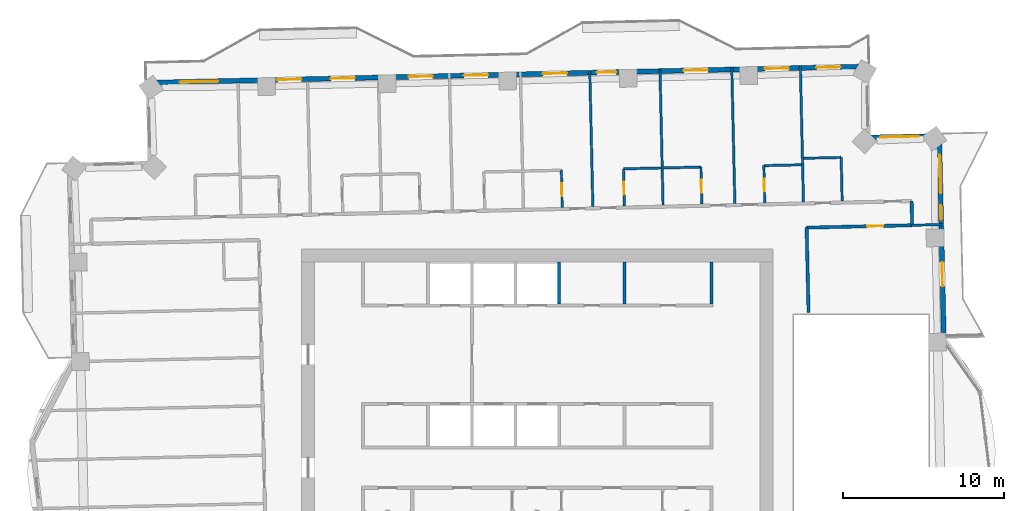
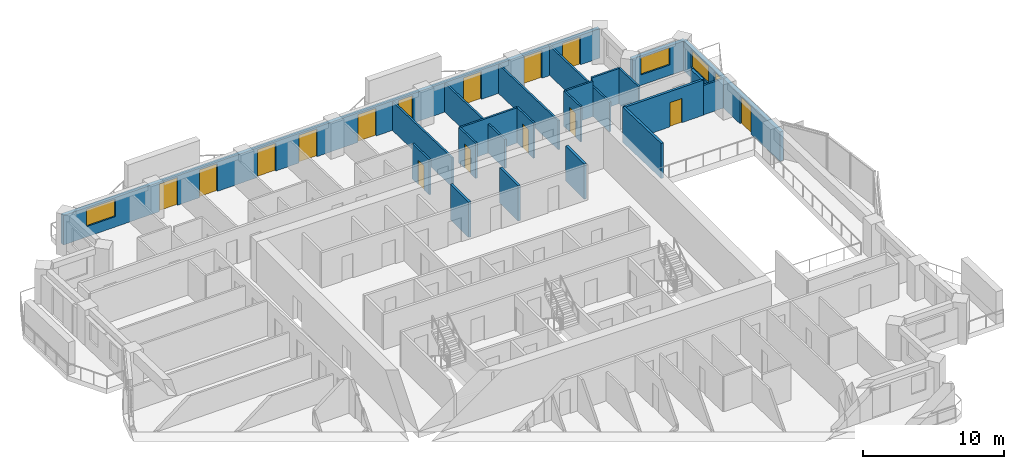
# One storey, part 12 of 17: 22 walls, 15 doors, 4 windows, 19 openings.
"""IFC4 building model written with IfcOpenShell, lengths in metres."""

from ifc_helpers import new_model, si_unit, direction, frame, frame_2d, origin, place, context, subcontext, project, spatial, rectangle, extrude, material, layer, layer_set, type_object, element, fill, save


model = new_model("IFC4")

# Units and contexts
model_context = context("Model", 3, precision=1e-05, world=origin(), true_north=direction((0.0, 1.0)))
body_context = subcontext(model_context, "Body", "Model", "MODEL_VIEW")
ifc_project = project(units=[si_unit("LENGTHUNIT", "METRE"), si_unit("AREAUNIT", "SQUARE_METRE"), si_unit("VOLUMEUNIT", "CUBIC_METRE"), si_unit("PLANEANGLEUNIT", "RADIAN"), si_unit("MASSUNIT", "GRAM", prefix="KILO")], contexts=[model_context])

# Site, building, storey
site_placement = place(None, origin())
site = spatial("IfcSite", under=ifc_project, at=site_placement, CompositionType="ELEMENT")
building_placement = place(site_placement, origin())
building = spatial("IfcBuilding", under=site, at=building_placement, Name="Mangrove Gate Tower", CompositionType="ELEMENT")
storey_placement = place(building_placement, frame((0.0, 0.0, 238.300048828125)))
storey = spatial("IfcBuildingStorey", under=building, at=storey_placement, Name="L60", CompositionType="ELEMENT", Elevation=238.300048828125)

# Walls
ifc_material_1 = material(Name="Concrete C32/40", Category="concrete")
ifc_layer_1 = layer(ifc_material_1, 0.199951171875)
ifc_layer_set_1 = layer_set([ifc_layer_1], Name="Core room wall 200 C32/40")
wall_type_1 = type_object("IfcWallType", Name="Core room wall 200 C32/40", PredefinedType="STANDARD", material=ifc_layer_set_1)
for number, where, z_axis, x_axis, name in (
    (1, (5.39990234375, 8.199951171875, 0.0), (0.0, 0.0, 1.0), (0.0, 1.0, 0.0), "WALL-L60-CORE-31"),
    (2, (10.800048828125, 8.199951171875, 0.0), (0.0, 0.0, 1.0), (0.0, 1.0, 0.0), "WALL-L60-CORE-32"),
):
    element("IfcWall", number, at=place(storey_placement, frame(where, z_axis=z_axis, x_axis=x_axis)), inside=storey, type_object=wall_type_1, Name=name, PredefinedType="STANDARD", context=body_context, shape_type="SweptSolid", body=[
        extrude(rectangle(XDim=2.60009765625, YDim=0.199951171875, at=frame_2d((1.300048828125, 0.0))), origin(), (0.0, 0.0, 1.0), 3.050048828125),
    ])
ifc_material_2 = material(Name="Concrete C60/75", Category="concrete")
ifc_layer_2 = layer(ifc_material_2, 0.199951171875)
ifc_layer_set_2 = layer_set([ifc_layer_2], Name="Core shaft wall 200 C60/75")
wall_type_2 = type_object("IfcWallType", Name="Core shaft wall 200 C60/75", PredefinedType="SHEAR", material=ifc_layer_set_2)
wall_1_placement = place(storey_placement, frame((1.35009765625, 8.199951171875, 0.0), z_axis=(0.0, 0.0, 1.0), x_axis=(0.0, 1.0, 0.0)))
element("IfcWall", 3, at=wall_1_placement, inside=storey, type_object=wall_type_2, Name="WALL-L60-CORE-30", PredefinedType="SHEAR", context=body_context, shape_type="SweptSolid", body=[
    extrude(rectangle(XDim=2.60009765625, YDim=0.199951171875, at=frame_2d((1.300048828125, 0.0))), origin(), (0.0, 0.0, 1.0), 3.050048828125),
])
ifc_material_3 = material(Name="Gypsum board on steel stud, EI 60", Category="steel")
ifc_layer_3 = layer(ifc_material_3, 0.199951171875)
ifc_layer_set_3 = layer_set([ifc_layer_3], Name="Corridor wall EI 60")
wall_type_3 = type_object("IfcWallType", Name="Corridor wall EI 60", PredefinedType="PARTITIONING", material=ifc_layer_set_3)
wall_2_placement = place(storey_placement, frame((16.802978515625, 7.675048828125, 0.0), z_axis=(0.0, 0.0, 1.0), x_axis=(-0.022667483124, 0.999743059595, 0.0)))
element("IfcWall", 4, at=wall_2_placement, inside=storey, type_object=wall_type_3, Name="WALL-L60-043", PredefinedType="PARTITIONING", context=body_context, shape_type="SweptSolid", body=[
    extrude(rectangle(XDim=5.245361328125, YDim=0.199951171875, at=frame_2d((2.62255859375, 0.0))), origin(), (0.0, 0.0, 1.0), 3.050048828125),
])

# Wall, opening, door
wall_3_placement = place(storey_placement, frame((16.678955078125, 12.91796875, 0.0), z_axis=(0.0, 0.0, 1.0), x_axis=(0.99974139269, 0.022740882632, 0.0)))
wall_3 = element("IfcWall", 5, at=wall_3_placement, inside=storey, type_object=wall_type_3, Name="WALL-L60-050", PredefinedType="PARTITIONING", context=body_context, shape_type="SweptSolid", body=[
    extrude(rectangle(XDim=6.548828125, YDim=0.199951171875, at=frame_2d((3.2744140625, 0.0))), origin(), (0.0, 0.0, 1.0), 3.050048828125),
])
opening_1_placement = place(wall_3_placement, frame((3.75, 0.0, 0.0)))
opening_1 = element("IfcOpeningElement", 6, at=opening_1_placement, cuts=wall_3, Name="Opening AD", PredefinedType="OPENING", context=body_context, shape_type="SweptSolid", body=[
    extrude(rectangle(XDim=1.0, YDim=2.10009765625, at=frame_2d((0.5, 1.050048828125))), frame((0.0, 0.10986328125, 0.0), z_axis=(0.0, -1.0, 0.0), x_axis=(1.0, 0.0, 0.0)), (0.0, 0.0, 1.0), 0.219970703125),
])
ifc_material_4 = material(Name="Timber door leaf", Category="wood")
door_type_1 = type_object("IfcDoorType", Name="Amenity door 1000", OperationType="SINGLE_SWING_LEFT", PredefinedType="DOOR", material=ifc_material_4)
door_1_placement = place(opening_1_placement, origin())
door_1 = element("IfcDoor", 7, at=door_1_placement, inside=storey, type_object=door_type_1, Name="DOOR-L60-LNG-c3a", OperationType="SINGLE_SWING_RIGHT", OverallHeight=2.10009765625, OverallWidth=1.0, PredefinedType="DOOR", context=body_context, shape_type="SweptSolid", body=[
    extrude(rectangle(XDim=1.0, YDim=2.10009765625, at=frame_2d((0.5, 1.050048828125))), frame((0.0, 0.02490234375, 0.0), z_axis=(0.0, -1.0, 0.0), x_axis=(1.0, 0.0, 0.0)), (0.0, 0.0, 1.0), 0.050048828125),
])
fill(opening_1, door_1)

# Wall
wall_4_placement = place(storey_placement, frame((23.222900390625, 13.06689453125, 0.0), z_axis=(0.0, 0.0, 1.0), x_axis=(-0.023268438023, 0.999729253244, 0.0)))
element("IfcWall", 8, at=wall_4_placement, inside=storey, type_object=wall_type_3, Name="WALL-L60-051", PredefinedType="PARTITIONING", context=body_context, shape_type="SweptSolid", body=[
    extrude(rectangle(XDim=1.50048828125, YDim=0.199951171875, at=frame_2d((0.750244140625, 0.0))), origin(), (0.0, 0.0, 1.0), 3.050048828125),
])

# Wall, openings, door, windows
ifc_material_5 = material(Name="Limestone", Category="masonry")
ifc_layer_4 = layer(ifc_material_5, 0.0400390625, Name="Limestone cladding")
ifc_material_6 = material(Name="Ventilated air gap")
ifc_layer_5 = layer(ifc_material_6, 0.0400390625, Name="Ventilated cavity")
ifc_material_7 = material(Name="Mineral wool insulation")
ifc_layer_6 = layer(ifc_material_7, 0.06005859375, Name="Insulation")
ifc_material_8 = material(Name="Breather membrane")
ifc_layer_7 = layer(ifc_material_8, 0.001953125, Name="Breather membrane")
ifc_material_9 = material(Name="Concrete C20/25 blockwork", Category="masonry")
ifc_layer_8 = layer(ifc_material_9, 0.14990234375, Name="Blockwork backing wall")
ifc_material_10 = material(Name="Gypsum plaster")
ifc_layer_9 = layer(ifc_material_10, 0.008056640625, Name="Internal plaster")
ifc_layer_set_4 = layer_set([ifc_layer_4, ifc_layer_5, ifc_layer_6, ifc_layer_7, ifc_layer_8, ifc_layer_9], Name="External wall 300 limestone cladding")
wall_type_4 = type_object("IfcWallType", Name="External wall 300 limestone cladding", PredefinedType="SOLIDWALL", material=ifc_layer_set_4)
wall_5_placement = place(storey_placement, frame((25.202880859375, 5.31005859375, 0.0), z_axis=(0.0, 0.0, 1.0), x_axis=(-0.022708061432, 0.999742138727, 0.0)))
wall_5 = element("IfcWall", 9, at=wall_5_placement, inside=storey, type_object=wall_type_4, Name="WALL-L60-E2s1", PredefinedType="SOLIDWALL", context=body_context, shape_type="SweptSolid", body=[
    extrude(rectangle(XDim=13.29931640625, YDim=0.300048828125, at=frame_2d((6.649658203125, 0.0))), origin(), (0.0, 0.0, 1.0), 2.550048828125),
])
opening_2_placement = place(wall_5_placement, frame((3.97412109375, 0.0, 0.0)))
opening_2 = element("IfcOpeningElement", 10, at=opening_2_placement, cuts=wall_5, Name="Opening BD1", PredefinedType="OPENING", context=body_context, shape_type="SweptSolid", body=[
    extrude(rectangle(XDim=1.5, YDim=2.39990234375, at=frame_2d((0.75, 1.199951171875))), frame((0.0, 0.159912109375, 0.0), z_axis=(0.0, -1.0, 0.0), x_axis=(1.0, 0.0, 0.0)), (0.0, 0.0, 1.0), 0.320068359375),
])
opening_3_placement = place(wall_5_placement, frame((8.10009765625, 0.0, 0.89990234375)))
opening_3 = element("IfcOpeningElement", 11, at=opening_3_placement, cuts=wall_5, Name="Opening W5", PredefinedType="OPENING", context=body_context, shape_type="SweptSolid", body=[
    extrude(rectangle(XDim=0.89990234375, YDim=1.5, at=frame_2d((0.449951171875, 0.75))), frame((0.0, 0.159912109375, 0.0), z_axis=(0.0, -1.0, 0.0), x_axis=(1.0, 0.0, 0.0)), (0.0, 0.0, 1.0), 0.320068359375),
])
opening_4_placement = place(wall_5_placement, frame((9.738037109375, 0.0, 0.89990234375)))
opening_4 = element("IfcOpeningElement", 12, at=opening_4_placement, cuts=wall_5, Name="Opening W2", PredefinedType="OPENING", context=body_context, shape_type="SweptSolid", body=[
    extrude(rectangle(XDim=2.39990234375, YDim=1.5, at=frame_2d((1.199951171875, 0.75))), frame((0.0, 0.159912109375, 0.0), z_axis=(0.0, -1.0, 0.0), x_axis=(1.0, 0.0, 0.0)), (0.0, 0.0, 1.0), 0.320068359375),
])
ifc_material_11 = material(Name="Aluminium frame with laminated clear glass", Category="aluminium")
door_type_2 = type_object("IfcDoorType", Name="Balcony sliding door 1500x2400", OperationType="SLIDING_TO_LEFT", PredefinedType="DOOR", material=ifc_material_11)
door_2_placement = place(opening_2_placement, origin())
door_2 = element("IfcDoor", 13, at=door_2_placement, inside=storey, type_object=door_type_2, Name="DOOR-L60-E2-1", OperationType="SLIDING_TO_LEFT", OverallHeight=2.39990234375, OverallWidth=1.5, PredefinedType="DOOR", context=body_context, shape_type="SweptSolid", body=[
    extrude(rectangle(XDim=1.5, YDim=2.39990234375, at=frame_2d((0.75, 1.199951171875))), frame((0.0, 0.02490234375, 0.0), z_axis=(0.0, -1.0, 0.0), x_axis=(1.0, 0.0, 0.0)), (0.0, 0.0, 1.0), 0.050048828125),
])
fill(opening_2, door_2)
ifc_material_12 = material(Name="Aluminium frame with double-glazed low-e glass", Category="aluminium")
window_type_1 = type_object("IfcWindowType", Name="Corner room window 2400x1500", PartitioningType="DOUBLE_PANEL_VERTICAL", PredefinedType="WINDOW", material=ifc_material_12)
window_1_placement = place(opening_4_placement, origin())
window_1 = element("IfcWindow", 14, at=window_1_placement, inside=storey, type_object=window_type_1, Name="WIN-L60-E2-3", OverallHeight=1.5, OverallWidth=2.39990234375, PartitioningType="DOUBLE_PANEL_VERTICAL", PredefinedType="WINDOW", context=body_context, shape_type="SweptSolid", body=[
    extrude(rectangle(XDim=2.39990234375, YDim=1.5, at=frame_2d((1.199951171875, 0.75))), frame((0.0, 0.030029296875, 0.0), z_axis=(0.0, -1.0, 0.0), x_axis=(1.0, 0.0, 0.0)), (0.0, 0.0, 1.0), 0.06005859375),
])
fill(opening_4, window_1)
ifc_material_13 = material(Name="Aluminium frame with double-glazed low-e glass", Category="aluminium")
window_type_2 = type_object("IfcWindowType", Name="Narrow window 900x1500", PartitioningType="SINGLE_PANEL", PredefinedType="WINDOW", material=ifc_material_13)
window_2_placement = place(opening_3_placement, origin())
window_2 = element("IfcWindow", 15, at=window_2_placement, inside=storey, type_object=window_type_2, Name="WIN-L60-E2-2", OverallHeight=1.5, OverallWidth=0.89990234375, PartitioningType="SINGLE_PANEL", PredefinedType="WINDOW", context=body_context, shape_type="SweptSolid", body=[
    extrude(rectangle(XDim=0.89990234375, YDim=1.5, at=frame_2d((0.449951171875, 0.75))), frame((0.0, 0.030029296875, 0.0), z_axis=(0.0, -1.0, 0.0), x_axis=(1.0, 0.0, 0.0)), (0.0, 0.0, 1.0), 0.06005859375),
])
fill(opening_3, window_2)

# Wall, opening, window
wall_6_placement = place(storey_placement, frame((24.90087890625, 18.60595703125, 0.0), z_axis=(0.0, 0.0, 1.0), x_axis=(-0.999747476176, -0.022471846368, 0.0)))
wall_6 = element("IfcWall", 16, at=wall_6_placement, inside=storey, type_object=wall_type_4, Name="WALL-L60-N3", PredefinedType="SOLIDWALL", context=body_context, shape_type="SweptSolid", body=[
    extrude(rectangle(XDim=4.400146484375, YDim=0.300048828125, at=frame_2d((2.2001953125, 0.0))), origin(), (0.0, 0.0, 1.0), 2.550048828125),
])
opening_5_placement = place(wall_6_placement, frame((1.264892578125, 0.0, 0.89990234375)))
opening_5 = element("IfcOpeningElement", 17, at=opening_5_placement, cuts=wall_6, Name="Opening W2", PredefinedType="OPENING", context=body_context, shape_type="SweptSolid", body=[
    extrude(rectangle(XDim=2.39990234375, YDim=1.5, at=frame_2d((1.199951171875, 0.75))), frame((0.0, 0.159912109375, 0.0), z_axis=(0.0, -1.0, 0.0), x_axis=(1.0, 0.0, 0.0)), (0.0, 0.0, 1.0), 0.320068359375),
])
window_3_placement = place(opening_5_placement, origin())
window_3 = element("IfcWindow", 18, at=window_3_placement, inside=storey, type_object=window_type_1, Name="WIN-L60-N3-1", OverallHeight=1.5, OverallWidth=2.39990234375, PartitioningType="DOUBLE_PANEL_VERTICAL", PredefinedType="WINDOW", context=body_context, shape_type="SweptSolid", body=[
    extrude(rectangle(XDim=2.39990234375, YDim=1.5, at=frame_2d((1.199951171875, 0.75))), frame((0.0, 0.030029296875, 0.0), z_axis=(0.0, -1.0, 0.0), x_axis=(1.0, 0.0, 0.0)), (0.0, 0.0, 1.0), 0.06005859375),
])
fill(opening_5, window_3)

# Wall, openings, doors, window
wall_7_placement = place(storey_placement, frame((20.403076171875, 22.905029296875, 0.0), z_axis=(0.0, 0.0, 1.0), x_axis=(-0.99974298964, -0.022670568288, 0.0)))
wall_7 = element("IfcWall", 19, at=wall_7_placement, inside=storey, type_object=wall_type_4, Name="WALL-L60-N5", PredefinedType="SOLIDWALL", context=body_context, shape_type="SweptSolid", body=[
    extrude(rectangle(XDim=44.508544921875, YDim=0.300048828125, at=frame_2d((22.25439453125, 0.0))), origin(), (0.0, 0.0, 1.0), 2.550048828125),
])
opening_6_placement = place(wall_7_placement, frame((1.6201171875, 0.0, 0.0)))
opening_6 = element("IfcOpeningElement", 20, at=opening_6_placement, cuts=wall_7, Name="Opening BD1", PredefinedType="OPENING", context=body_context, shape_type="SweptSolid", body=[
    extrude(rectangle(XDim=1.5, YDim=2.39990234375, at=frame_2d((0.75, 1.199951171875))), frame((0.0, 0.159912109375, 0.0), z_axis=(0.0, -1.0, 0.0), x_axis=(1.0, 0.0, 0.0)), (0.0, 0.0, 1.0), 0.320068359375),
])
opening_7_placement = place(wall_7_placement, frame((4.81298828125, 0.0, 0.0)))
opening_7 = element("IfcOpeningElement", 21, at=opening_7_placement, cuts=wall_7, Name="Opening BD1", PredefinedType="OPENING", context=body_context, shape_type="SweptSolid", body=[
    extrude(rectangle(XDim=1.5, YDim=2.39990234375, at=frame_2d((0.75, 1.199951171875))), frame((0.0, 0.159912109375, 0.0), z_axis=(0.0, -1.0, 0.0), x_axis=(1.0, 0.0, 0.0)), (0.0, 0.0, 1.0), 0.320068359375),
])
opening_8_placement = place(wall_7_placement, frame((9.8330078125, 0.0, 0.0)))
opening_8 = element("IfcOpeningElement", 22, at=opening_8_placement, cuts=wall_7, Name="Opening BD1", PredefinedType="OPENING", context=body_context, shape_type="SweptSolid", body=[
    extrude(rectangle(XDim=1.5, YDim=2.39990234375, at=frame_2d((0.75, 1.199951171875))), frame((0.0, 0.159912109375, 0.0), z_axis=(0.0, -1.0, 0.0), x_axis=(1.0, 0.0, 0.0)), (0.0, 0.0, 1.0), 0.320068359375),
])
opening_9_placement = place(wall_7_placement, frame((15.52197265625, 0.0, 0.0)))
opening_9 = element("IfcOpeningElement", 23, at=opening_9_placement, cuts=wall_7, Name="Opening BD2", PredefinedType="OPENING", context=body_context, shape_type="SweptSolid", body=[
    extrude(rectangle(XDim=1.199951171875, YDim=2.39990234375, at=frame_2d((0.60009765625, 1.199951171875))), frame((0.0, 0.159912109375, 0.0), z_axis=(0.0, -1.0, 0.0), x_axis=(1.0, 0.0, 0.0)), (0.0, 0.0, 1.0), 0.320068359375),
])
opening_10_placement = place(wall_7_placement, frame((18.55810546875, 0.0, 0.0)))
opening_10 = element("IfcOpeningElement", 24, at=opening_10_placement, cuts=wall_7, Name="Opening BD1", PredefinedType="OPENING", context=body_context, shape_type="SweptSolid", body=[
    extrude(rectangle(XDim=1.5, YDim=2.39990234375, at=frame_2d((0.75, 1.199951171875))), frame((0.0, 0.159912109375, 0.0), z_axis=(0.0, -1.0, 0.0), x_axis=(1.0, 0.0, 0.0)), (0.0, 0.0, 1.0), 0.320068359375),
])
opening_11_placement = place(wall_7_placement, frame((23.4560546875, 0.0, 0.0)))
opening_11 = element("IfcOpeningElement", 25, at=opening_11_placement, cuts=wall_7, Name="Opening BD1", PredefinedType="OPENING", context=body_context, shape_type="SweptSolid", body=[
    extrude(rectangle(XDim=1.5, YDim=2.39990234375, at=frame_2d((0.75, 1.199951171875))), frame((0.0, 0.159912109375, 0.0), z_axis=(0.0, -1.0, 0.0), x_axis=(1.0, 0.0, 0.0)), (0.0, 0.0, 1.0), 0.320068359375),
])
opening_12_placement = place(wall_7_placement, frame((26.889892578125, 0.0, 0.0)))
opening_12 = element("IfcOpeningElement", 26, at=opening_12_placement, cuts=wall_7, Name="Opening BD1", PredefinedType="OPENING", context=body_context, shape_type="SweptSolid", body=[
    extrude(rectangle(XDim=1.5, YDim=2.39990234375, at=frame_2d((0.75, 1.199951171875))), frame((0.0, 0.159912109375, 0.0), z_axis=(0.0, -1.0, 0.0), x_axis=(1.0, 0.0, 0.0)), (0.0, 0.0, 1.0), 0.320068359375),
])
opening_13_placement = place(wall_7_placement, frame((31.7080078125, 0.0, 0.0)))
opening_13 = element("IfcOpeningElement", 27, at=opening_13_placement, cuts=wall_7, Name="Opening BD1", PredefinedType="OPENING", context=body_context, shape_type="SweptSolid", body=[
    extrude(rectangle(XDim=1.5, YDim=2.39990234375, at=frame_2d((0.75, 1.199951171875))), frame((0.0, 0.159912109375, 0.0), z_axis=(0.0, -1.0, 0.0), x_axis=(1.0, 0.0, 0.0)), (0.0, 0.0, 1.0), 0.320068359375),
])
opening_14_placement = place(wall_7_placement, frame((35.02392578125, 0.0, 0.0)))
opening_14 = element("IfcOpeningElement", 28, at=opening_14_placement, cuts=wall_7, Name="Opening BD1", PredefinedType="OPENING", context=body_context, shape_type="SweptSolid", body=[
    extrude(rectangle(XDim=1.5, YDim=2.39990234375, at=frame_2d((0.75, 1.199951171875))), frame((0.0, 0.159912109375, 0.0), z_axis=(0.0, -1.0, 0.0), x_axis=(1.0, 0.0, 0.0)), (0.0, 0.0, 1.0), 0.320068359375),
])
opening_15_placement = place(wall_7_placement, frame((40.173095703125, 0.0, 0.89990234375)))
opening_15 = element("IfcOpeningElement", 29, at=opening_15_placement, cuts=wall_7, Name="Opening W2", PredefinedType="OPENING", context=body_context, shape_type="SweptSolid", body=[
    extrude(rectangle(XDim=2.39990234375, YDim=1.5, at=frame_2d((1.199951171875, 0.75))), frame((0.0, 0.159912109375, 0.0), z_axis=(0.0, -1.0, 0.0), x_axis=(1.0, 0.0, 0.0)), (0.0, 0.0, 1.0), 0.320068359375),
])
ifc_material_14 = material(Name="Aluminium frame with laminated clear glass", Category="aluminium")
door_type_3 = type_object("IfcDoorType", Name="Balcony sliding door 1200x2400", OperationType="SLIDING_TO_LEFT", PredefinedType="DOOR", material=ifc_material_14)
door_3_placement = place(opening_9_placement, origin())
door_3 = element("IfcDoor", 30, at=door_3_placement, inside=storey, type_object=door_type_3, Name="DOOR-L60-N5-4", OperationType="SLIDING_TO_LEFT", OverallHeight=2.39990234375, OverallWidth=1.199951171875, PredefinedType="DOOR", context=body_context, shape_type="SweptSolid", body=[
    extrude(rectangle(XDim=1.199951171875, YDim=2.39990234375, at=frame_2d((0.60009765625, 1.199951171875))), frame((0.0, 0.02490234375, 0.0), z_axis=(0.0, -1.0, 0.0), x_axis=(1.0, 0.0, 0.0)), (0.0, 0.0, 1.0), 0.050048828125),
])
fill(opening_9, door_3)
door_4_placement = place(opening_6_placement, origin())
door_4 = element("IfcDoor", 31, at=door_4_placement, inside=storey, type_object=door_type_2, Name="DOOR-L60-N5-1", OperationType="SLIDING_TO_LEFT", OverallHeight=2.39990234375, OverallWidth=1.5, PredefinedType="DOOR", context=body_context, shape_type="SweptSolid", body=[
    extrude(rectangle(XDim=1.5, YDim=2.39990234375, at=frame_2d((0.75, 1.199951171875))), frame((0.0, 0.02490234375, 0.0), z_axis=(0.0, -1.0, 0.0), x_axis=(1.0, 0.0, 0.0)), (0.0, 0.0, 1.0), 0.050048828125),
])
fill(opening_6, door_4)
door_5_placement = place(opening_7_placement, origin())
door_5 = element("IfcDoor", 32, at=door_5_placement, inside=storey, type_object=door_type_2, Name="DOOR-L60-N5-2", OperationType="SLIDING_TO_LEFT", OverallHeight=2.39990234375, OverallWidth=1.5, PredefinedType="DOOR", context=body_context, shape_type="SweptSolid", body=[
    extrude(rectangle(XDim=1.5, YDim=2.39990234375, at=frame_2d((0.75, 1.199951171875))), frame((0.0, 0.02490234375, 0.0), z_axis=(0.0, -1.0, 0.0), x_axis=(1.0, 0.0, 0.0)), (0.0, 0.0, 1.0), 0.050048828125),
])
fill(opening_7, door_5)
door_6_placement = place(opening_8_placement, origin())
door_6 = element("IfcDoor", 33, at=door_6_placement, inside=storey, type_object=door_type_2, Name="DOOR-L60-N5-3", OperationType="SLIDING_TO_LEFT", OverallHeight=2.39990234375, OverallWidth=1.5, PredefinedType="DOOR", context=body_context, shape_type="SweptSolid", body=[
    extrude(rectangle(XDim=1.5, YDim=2.39990234375, at=frame_2d((0.75, 1.199951171875))), frame((0.0, 0.02490234375, 0.0), z_axis=(0.0, -1.0, 0.0), x_axis=(1.0, 0.0, 0.0)), (0.0, 0.0, 1.0), 0.050048828125),
])
fill(opening_8, door_6)
door_7_placement = place(opening_10_placement, origin())
door_7 = element("IfcDoor", 34, at=door_7_placement, inside=storey, type_object=door_type_2, Name="DOOR-L60-N5-5", OperationType="SLIDING_TO_LEFT", OverallHeight=2.39990234375, OverallWidth=1.5, PredefinedType="DOOR", context=body_context, shape_type="SweptSolid", body=[
    extrude(rectangle(XDim=1.5, YDim=2.39990234375, at=frame_2d((0.75, 1.199951171875))), frame((0.0, 0.02490234375, 0.0), z_axis=(0.0, -1.0, 0.0), x_axis=(1.0, 0.0, 0.0)), (0.0, 0.0, 1.0), 0.050048828125),
])
fill(opening_10, door_7)
door_8_placement = place(opening_11_placement, origin())
door_8 = element("IfcDoor", 35, at=door_8_placement, inside=storey, type_object=door_type_2, Name="DOOR-L60-N5-6", OperationType="SLIDING_TO_LEFT", OverallHeight=2.39990234375, OverallWidth=1.5, PredefinedType="DOOR", context=body_context, shape_type="SweptSolid", body=[
    extrude(rectangle(XDim=1.5, YDim=2.39990234375, at=frame_2d((0.75, 1.199951171875))), frame((0.0, 0.02490234375, 0.0), z_axis=(0.0, -1.0, 0.0), x_axis=(1.0, 0.0, 0.0)), (0.0, 0.0, 1.0), 0.050048828125),
])
fill(opening_11, door_8)
door_9_placement = place(opening_12_placement, origin())
door_9 = element("IfcDoor", 36, at=door_9_placement, inside=storey, type_object=door_type_2, Name="DOOR-L60-N5-7", OperationType="SLIDING_TO_LEFT", OverallHeight=2.39990234375, OverallWidth=1.5, PredefinedType="DOOR", context=body_context, shape_type="SweptSolid", body=[
    extrude(rectangle(XDim=1.5, YDim=2.39990234375, at=frame_2d((0.75, 1.199951171875))), frame((0.0, 0.02490234375, 0.0), z_axis=(0.0, -1.0, 0.0), x_axis=(1.0, 0.0, 0.0)), (0.0, 0.0, 1.0), 0.050048828125),
])
fill(opening_12, door_9)
door_10_placement = place(opening_13_placement, origin())
door_10 = element("IfcDoor", 37, at=door_10_placement, inside=storey, type_object=door_type_2, Name="DOOR-L60-N5-8", OperationType="SLIDING_TO_LEFT", OverallHeight=2.39990234375, OverallWidth=1.5, PredefinedType="DOOR", context=body_context, shape_type="SweptSolid", body=[
    extrude(rectangle(XDim=1.5, YDim=2.39990234375, at=frame_2d((0.75, 1.199951171875))), frame((0.0, 0.02490234375, 0.0), z_axis=(0.0, -1.0, 0.0), x_axis=(1.0, 0.0, 0.0)), (0.0, 0.0, 1.0), 0.050048828125),
])
fill(opening_13, door_10)
door_11_placement = place(opening_14_placement, origin())
door_11 = element("IfcDoor", 38, at=door_11_placement, inside=storey, type_object=door_type_2, Name="DOOR-L60-N5-9", OperationType="SLIDING_TO_LEFT", OverallHeight=2.39990234375, OverallWidth=1.5, PredefinedType="DOOR", context=body_context, shape_type="SweptSolid", body=[
    extrude(rectangle(XDim=1.5, YDim=2.39990234375, at=frame_2d((0.75, 1.199951171875))), frame((0.0, 0.02490234375, 0.0), z_axis=(0.0, -1.0, 0.0), x_axis=(1.0, 0.0, 0.0)), (0.0, 0.0, 1.0), 0.050048828125),
])
fill(opening_14, door_11)
window_4_placement = place(opening_15_placement, origin())
window_4 = element("IfcWindow", 39, at=window_4_placement, inside=storey, type_object=window_type_1, Name="WIN-L60-N5-10", OverallHeight=1.5, OverallWidth=2.39990234375, PartitioningType="DOUBLE_PANEL_VERTICAL", PredefinedType="WINDOW", context=body_context, shape_type="SweptSolid", body=[
    extrude(rectangle(XDim=2.39990234375, YDim=1.5, at=frame_2d((1.199951171875, 0.75))), frame((0.0, 0.030029296875, 0.0), z_axis=(0.0, -1.0, 0.0), x_axis=(1.0, 0.0, 0.0)), (0.0, 0.0, 1.0), 0.06005859375),
])
fill(opening_15, window_4)

# Wall
ifc_material_15 = material(Name="Gypsum board on steel stud, EI 60", Category="steel")
ifc_layer_10 = layer(ifc_material_15, 0.14990234375)
ifc_layer_set_5 = layer_set([ifc_layer_10], Name="Party wall 150 EI 60")
wall_type_5 = type_object("IfcWallType", Name="Party wall 150 EI 60", PredefinedType="PARTITIONING", material=ifc_layer_set_5)
wall_8_placement = place(storey_placement, frame((23.22607421875, 13.06689453125, 0.0), z_axis=(0.0, 0.0, 1.0), x_axis=(0.999743319694, 0.022656008622, 0.0)))
element("IfcWall", 40, at=wall_8_placement, inside=storey, type_object=wall_type_5, Name="WALL-L60-052", PredefinedType="PARTITIONING", context=body_context, shape_type="SweptSolid", body=[
    extrude(rectangle(XDim=1.950439453125, YDim=0.14990234375, at=frame_2d((0.97509765625, 0.0))), origin(), (0.0, 0.0, 1.0), 2.550048828125),
])

# Wall, opening, door
wall_9_placement = place(storey_placement, frame((1.5419921875, 14.175048828125, 0.0), z_axis=(0.0, 0.0, 1.0), x_axis=(-0.022603288534, 0.999744513037, 0.0)))
wall_9 = element("IfcWall", 41, at=wall_9_placement, inside=storey, type_object=wall_type_5, Name="WALL-L60-064", PredefinedType="PARTITIONING", context=body_context, shape_type="SweptSolid", body=[
    extrude(rectangle(XDim=2.300537109375, YDim=0.14990234375, at=frame_2d((1.150390625, 0.0))), origin(), (0.0, 0.0, 1.0), 3.050048828125),
])
opening_16_placement = place(wall_9_placement, frame((0.699951171875, 0.0, 0.0)))
opening_16 = element("IfcOpeningElement", 42, at=opening_16_placement, cuts=wall_9, Name="Opening ED", PredefinedType="OPENING", context=body_context, shape_type="SweptSolid", body=[
    extrude(rectangle(XDim=0.800048828125, YDim=2.10009765625, at=frame_2d((0.39990234375, 1.050048828125))), frame((0.0, 0.0849609375, 0.0), z_axis=(0.0, -1.0, 0.0), x_axis=(1.0, 0.0, 0.0)), (0.0, 0.0, 1.0), 0.169921875),
])
ifc_material_16 = material(Name="Timber door leaf", Category="wood")
door_type_4 = type_object("IfcDoorType", Name="En-suite door 800", OperationType="SINGLE_SWING_LEFT", PredefinedType="DOOR", material=ifc_material_16)
door_12_placement = place(opening_16_placement, origin())
door_12 = element("IfcDoor", 43, at=door_12_placement, inside=storey, type_object=door_type_4, Name="DOOR-L60-ENS-c412", OperationType="SINGLE_SWING_RIGHT", OverallHeight=2.10009765625, OverallWidth=0.800048828125, PredefinedType="DOOR", context=body_context, shape_type="SweptSolid", body=[
    extrude(rectangle(XDim=0.800048828125, YDim=2.10009765625, at=frame_2d((0.39990234375, 1.050048828125))), frame((0.0, 0.02490234375, 0.0), z_axis=(0.0, -1.0, 0.0), x_axis=(1.0, 0.0, 0.0)), (0.0, 0.0, 1.0), 0.050048828125),
])
fill(opening_16, door_12)

# Wall
wall_10_placement = place(storey_placement, frame((3.44091796875, 14.218017578125, 0.0), z_axis=(0.0, 0.0, 1.0), x_axis=(-0.022593427839, 0.999744735929, 0.0)))
element("IfcWall", 44, at=wall_10_placement, inside=storey, type_object=wall_type_5, Name="WALL-L60-065", PredefinedType="PARTITIONING", context=body_context, shape_type="SweptSolid", body=[
    extrude(rectangle(XDim=8.4501953125, YDim=0.14990234375, at=frame_2d((4.22509765625, 0.0))), origin(), (0.0, 0.0, 1.0), 2.5),
])

# Wall, opening, door
wall_11_placement = place(storey_placement, frame((5.39111328125, 14.262939453125, 0.0), z_axis=(0.0, 0.0, 1.0), x_axis=(-0.022612884682, 0.999744296031, 0.0)))
wall_11 = element("IfcWall", 45, at=wall_11_placement, inside=storey, type_object=wall_type_5, Name="WALL-L60-066", PredefinedType="PARTITIONING", context=body_context, shape_type="SweptSolid", body=[
    extrude(rectangle(XDim=2.299560546875, YDim=0.14990234375, at=frame_2d((1.14990234375, 0.0))), origin(), (0.0, 0.0, 1.0), 3.050048828125),
])
opening_17_placement = place(wall_11_placement, frame((0.699951171875, 0.0, 0.0)))
opening_17 = element("IfcOpeningElement", 46, at=opening_17_placement, cuts=wall_11, Name="Opening ED", PredefinedType="OPENING", context=body_context, shape_type="SweptSolid", body=[
    extrude(rectangle(XDim=0.800048828125, YDim=2.10009765625, at=frame_2d((0.39990234375, 1.050048828125))), frame((0.0, 0.0849609375, 0.0), z_axis=(0.0, -1.0, 0.0), x_axis=(1.0, 0.0, 0.0)), (0.0, 0.0, 1.0), 0.169921875),
])
door_13_placement = place(opening_17_placement, origin())
door_13 = element("IfcDoor", 47, at=door_13_placement, inside=storey, type_object=door_type_4, Name="DOOR-L60-ENS-c411", OperationType="SINGLE_SWING_LEFT", OverallHeight=2.10009765625, OverallWidth=0.800048828125, PredefinedType="DOOR", context=body_context, shape_type="SweptSolid", body=[
    extrude(rectangle(XDim=0.800048828125, YDim=2.10009765625, at=frame_2d((0.39990234375, 1.050048828125))), frame((0.0, 0.02490234375, 0.0), z_axis=(0.0, -1.0, 0.0), x_axis=(1.0, 0.0, 0.0)), (0.0, 0.0, 1.0), 0.050048828125),
])
fill(opening_17, door_13)

# Wall
wall_12_placement = place(storey_placement, frame((7.7900390625, 14.31689453125, 0.0), z_axis=(0.0, 0.0, 1.0), x_axis=(-0.022737812646, 0.999741462517, 0.0)))
element("IfcWall", 48, at=wall_12_placement, inside=storey, type_object=wall_type_5, Name="WALL-L60-067", PredefinedType="PARTITIONING", context=body_context, shape_type="SweptSolid", body=[
    extrude(rectangle(XDim=8.4501953125, YDim=0.14990234375, at=frame_2d((4.22509765625, 0.0))), origin(), (0.0, 0.0, 1.0), 2.5),
])

# Wall, opening, door
wall_13_placement = place(storey_placement, frame((10.18994140625, 14.3720703125, 0.0), z_axis=(0.0, 0.0, 1.0), x_axis=(-0.023039761813, 0.999734549456, 0.0)))
wall_13 = element("IfcWall", 49, at=wall_13_placement, inside=storey, type_object=wall_type_5, Name="WALL-L60-068", PredefinedType="PARTITIONING", context=body_context, shape_type="SweptSolid", body=[
    extrude(rectangle(XDim=2.299560546875, YDim=0.14990234375, at=frame_2d((1.14990234375, 0.0))), origin(), (0.0, 0.0, 1.0), 3.050048828125),
])
opening_18_placement = place(wall_13_placement, frame((0.699951171875, 0.0, 0.0)))
opening_18 = element("IfcOpeningElement", 50, at=opening_18_placement, cuts=wall_13, Name="Opening ED", PredefinedType="OPENING", context=body_context, shape_type="SweptSolid", body=[
    extrude(rectangle(XDim=0.800048828125, YDim=2.10009765625, at=frame_2d((0.39990234375, 1.050048828125))), frame((0.0, 0.0849609375, 0.0), z_axis=(0.0, -1.0, 0.0), x_axis=(1.0, 0.0, 0.0)), (0.0, 0.0, 1.0), 0.169921875),
])
door_14_placement = place(opening_18_placement, origin())
door_14 = element("IfcDoor", 51, at=door_14_placement, inside=storey, type_object=door_type_4, Name="DOOR-L60-ENS-c310", OperationType="SINGLE_SWING_RIGHT", OverallHeight=2.10009765625, OverallWidth=0.800048828125, PredefinedType="DOOR", context=body_context, shape_type="SweptSolid", body=[
    extrude(rectangle(XDim=0.800048828125, YDim=2.10009765625, at=frame_2d((0.39990234375, 1.050048828125))), frame((0.0, 0.02490234375, 0.0), z_axis=(0.0, -1.0, 0.0), x_axis=(1.0, 0.0, 0.0)), (0.0, 0.0, 1.0), 0.050048828125),
])
fill(opening_18, door_14)

# Wall
wall_14_placement = place(storey_placement, frame((12.239013671875, 14.41796875, 0.0), z_axis=(0.0, 0.0, 1.0), x_axis=(-0.022708935798, 0.999742118866, 0.0)))
element("IfcWall", 52, at=wall_14_placement, inside=storey, type_object=wall_type_5, Name="WALL-L60-069", PredefinedType="PARTITIONING", context=body_context, shape_type="SweptSolid", body=[
    extrude(rectangle(XDim=8.4501953125, YDim=0.14990234375, at=frame_2d((4.22509765625, 0.0))), origin(), (0.0, 0.0, 1.0), 2.5),
])

# Wall, opening, door
wall_15_placement = place(storey_placement, frame((14.089111328125, 14.4599609375, 0.0), z_axis=(0.0, 0.0, 1.0), x_axis=(-0.023143422514, 0.999732155127, 0.0)))
wall_15 = element("IfcWall", 53, at=wall_15_placement, inside=storey, type_object=wall_type_5, Name="WALL-L60-070", PredefinedType="PARTITIONING", context=body_context, shape_type="SweptSolid", body=[
    extrude(rectangle(XDim=2.2998046875, YDim=0.14990234375, at=frame_2d((1.14990234375, 0.0))), origin(), (0.0, 0.0, 1.0), 3.050048828125),
])
opening_19_placement = place(wall_15_placement, frame((0.699951171875, 0.0, 0.0)))
opening_19 = element("IfcOpeningElement", 54, at=opening_19_placement, cuts=wall_15, Name="Opening ED", PredefinedType="OPENING", context=body_context, shape_type="SweptSolid", body=[
    extrude(rectangle(XDim=0.800048828125, YDim=2.10009765625, at=frame_2d((0.39990234375, 1.050048828125))), frame((0.0, 0.0849609375, 0.0), z_axis=(0.0, -1.0, 0.0), x_axis=(1.0, 0.0, 0.0)), (0.0, 0.0, 1.0), 0.169921875),
])
door_15_placement = place(opening_19_placement, origin())
door_15 = element("IfcDoor", 55, at=door_15_placement, inside=storey, type_object=door_type_4, Name="DOOR-L60-ENS-c309", OperationType="SINGLE_SWING_LEFT", OverallHeight=2.10009765625, OverallWidth=0.800048828125, PredefinedType="DOOR", context=body_context, shape_type="SweptSolid", body=[
    extrude(rectangle(XDim=0.800048828125, YDim=2.10009765625, at=frame_2d((0.39990234375, 1.050048828125))), frame((0.0, 0.02490234375, 0.0), z_axis=(0.0, -1.0, 0.0), x_axis=(1.0, 0.0, 0.0)), (0.0, 0.0, 1.0), 0.050048828125),
])
fill(opening_19, door_15)

# Walls
wall_16_placement = place(storey_placement, frame((16.488037109375, 14.514892578125, 0.0), z_axis=(0.0, 0.0, 1.0), x_axis=(-0.022740440012, 0.999741402758, 0.0)))
element("IfcWall", 56, at=wall_16_placement, inside=storey, type_object=wall_type_5, Name="WALL-L60-071", PredefinedType="PARTITIONING", context=body_context, shape_type="SweptSolid", body=[
    extrude(rectangle(XDim=8.44921875, YDim=0.14990234375, at=frame_2d((4.224609375, 0.0))), origin(), (0.0, 0.0, 1.0), 2.550048828125),
])
wall_17_placement = place(storey_placement, frame((18.886962890625, 14.569091796875, 0.0), z_axis=(0.0, 0.0, 1.0), x_axis=(-0.02260842146, 0.999744396973, 0.0)))
element("IfcWall", 57, at=wall_17_placement, inside=storey, type_object=wall_type_5, Name="WALL-L60-072", PredefinedType="PARTITIONING", context=body_context, shape_type="SweptSolid", body=[
    extrude(rectangle(XDim=2.69970703125, YDim=0.14990234375, at=frame_2d((1.349853515625, 0.0))), origin(), (0.0, 0.0, 1.0), 3.050048828125),
])
wall_18_placement = place(storey_placement, frame((5.3349609375, 16.56201171875, 0.0), z_axis=(0.0, 0.0, 1.0), x_axis=(0.999742596585, 0.02268789488, 0.0)))
element("IfcWall", 58, at=wall_18_placement, inside=storey, type_object=wall_type_5, Name="WALL-L60-076", PredefinedType="PARTITIONING", context=body_context, shape_type="SweptSolid", body=[
    extrude(rectangle(XDim=4.79931640625, YDim=0.14990234375, at=frame_2d((2.399658203125, 0.0))), origin(), (0.0, 0.0, 1.0), 3.050048828125),
])
wall_19_placement = place(storey_placement, frame((14.031982421875, 16.759033203125, 0.0), z_axis=(0.0, 0.0, 1.0), x_axis=(0.999740478815, 0.022781023197, 0.0)))
element("IfcWall", 59, at=wall_19_placement, inside=storey, type_object=wall_type_5, Name="WALL-L60-077", PredefinedType="PARTITIONING", context=body_context, shape_type="SweptSolid", body=[
    extrude(rectangle(XDim=2.325439453125, YDim=0.14990234375, at=frame_2d((1.16259765625, 0.0))), origin(), (0.0, 0.0, 1.0), 3.050048828125),
])
wall_20_placement = place(storey_placement, frame((16.498046875, 17.215087890625, 0.0), z_axis=(0.0, 0.0, 1.0), x_axis=(0.999740260747, 0.02279059109, 0.0)))
element("IfcWall", 60, at=wall_20_placement, inside=storey, type_object=wall_type_5, Name="WALL-L60-079", PredefinedType="PARTITIONING", context=body_context, shape_type="SweptSolid", body=[
    extrude(rectangle(XDim=2.324462890625, YDim=0.14990234375, at=frame_2d((1.162109375, 0.0))), origin(), (0.0, 0.0, 1.0), 3.050048828125),
])

save(model, "model.ifc")
